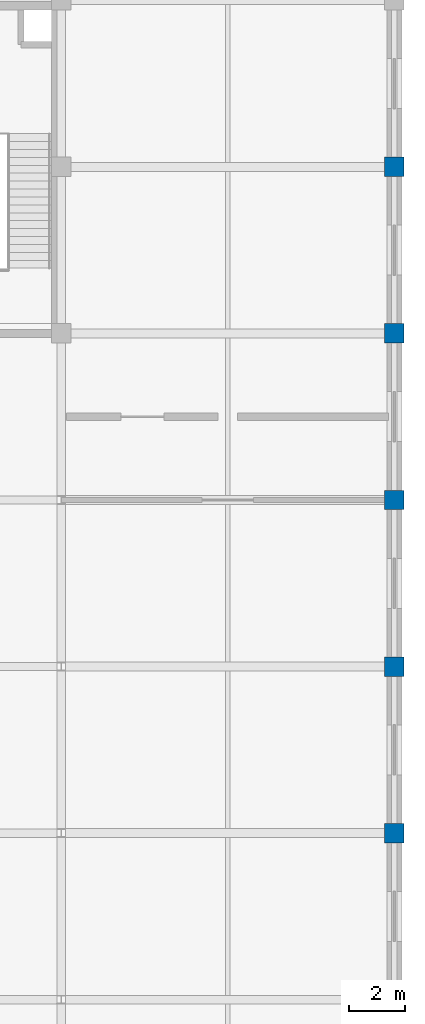
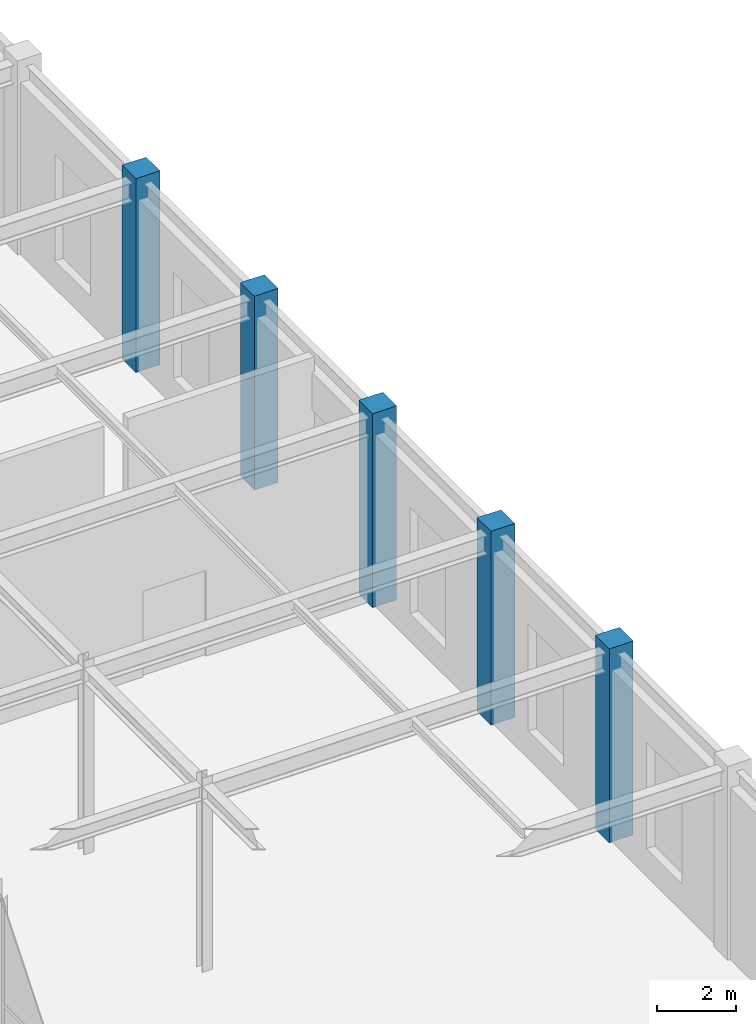
# One storey, part 25 of 108: 5 columns.
"""IFC4 building model written with IfcOpenShell, lengths in metres."""

from ifc_helpers import new_model, si_unit, direction, frame, origin, origin_2d, place, context, subcontext, project, spatial, rectangle, extrude, material, material_profile, profile_set, type_object, element, save


model = new_model("IFC4")

# Units and contexts
model_context = context("Model", 3, precision=1e-05, world=origin(), true_north=direction((0.0, 1.0)))
body_context = subcontext(model_context, "Body", "Model", "MODEL_VIEW")
ifc_project = project(units=[si_unit("LENGTHUNIT", "METRE"), si_unit("AREAUNIT", "SQUARE_METRE"), si_unit("VOLUMEUNIT", "CUBIC_METRE"), si_unit("PLANEANGLEUNIT", "RADIAN"), si_unit("MASSUNIT", "GRAM", prefix="KILO")], contexts=[model_context])

# Site, building, storey
site_placement = place(None, origin())
site = spatial("IfcSite", under=ifc_project, at=site_placement, CompositionType="ELEMENT")
building_placement = place(site_placement, origin())
building = spatial("IfcBuilding", under=site, at=building_placement, Name="Zlatovratsky Civic Hall", CompositionType="ELEMENT")
storey_placement = place(building_placement, frame((0.0, 0.0, 6.0)))
storey = spatial("IfcBuildingStorey", under=building, at=storey_placement, Name="L02", CompositionType="ELEMENT", Elevation=6.0)

# Columns
ifc_material = material(Name="Concrete C35/45 (B40)", Category="concrete")
ifc_material_profile = material_profile(ifc_material, rectangle(XDim=0.699951171875, YDim=0.699951171875, at=origin_2d()), Name="RC 700x700")
ifc_profile_set = profile_set([ifc_material_profile], Name="Concrete C35/45 (B40)")
column_type = type_object("IfcColumnType", Name="Col_CorePier_RC700", PredefinedType="COLUMN", material=ifc_profile_set)
for number, where, z_axis, x_axis, name in (
    (1, (168.0, 66.0, 0.0), (0.0, 0.0, 1.0), (1.0, 0.0, 0.0), "CL-1004"),
    (2, (168.0, 72.0, 0.0), (0.0, 0.0, 1.0), (1.0, 0.0, 0.0), "CL-1027"),
    (3, (168.0, 78.0, 0.0), (0.0, 0.0, 1.0), (1.0, 0.0, 0.0), "CL-1050"),
    (4, (168.0, 84.0, 0.0), (0.0, 0.0, 1.0), (1.0, 0.0, 0.0), "CL-1073"),
    (5, (168.0, 90.0, 0.0), (0.0, 0.0, 1.0), (1.0, 0.0, 0.0), "CL-1096"),
):
    element("IfcColumn", number, at=place(storey_placement, frame(where, z_axis=z_axis, x_axis=x_axis)), inside=storey, type_object=column_type, Name=name, PredefinedType="COLUMN", context=body_context, shape_type="SweptSolid", body=[
        extrude(rectangle(XDim=0.699951171875, YDim=0.699951171875, at=origin_2d()), origin(), (0.0, 0.0, 1.0), 6.0),
    ])

save(model, "model.ifc")
